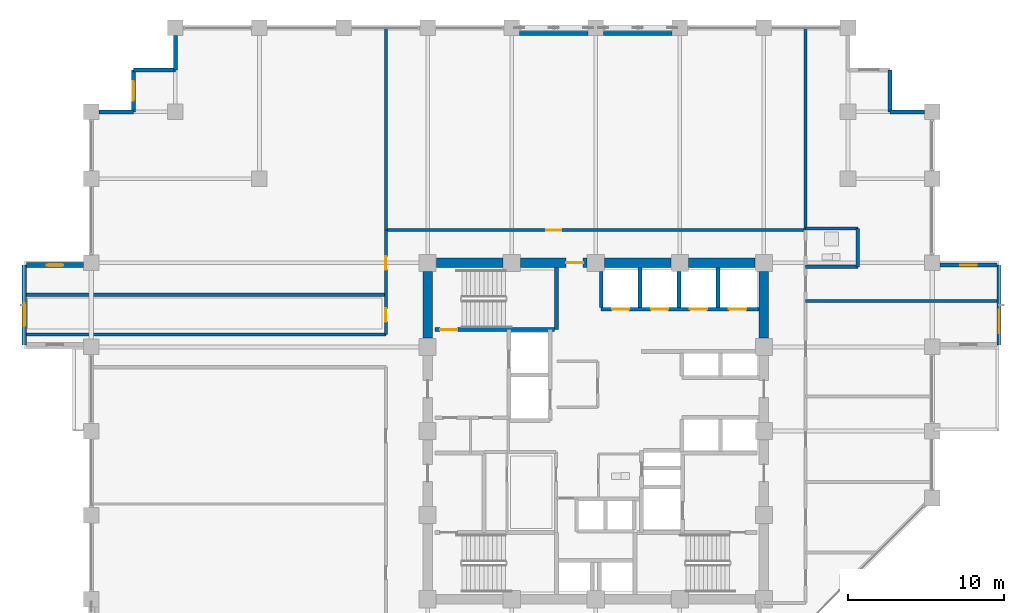
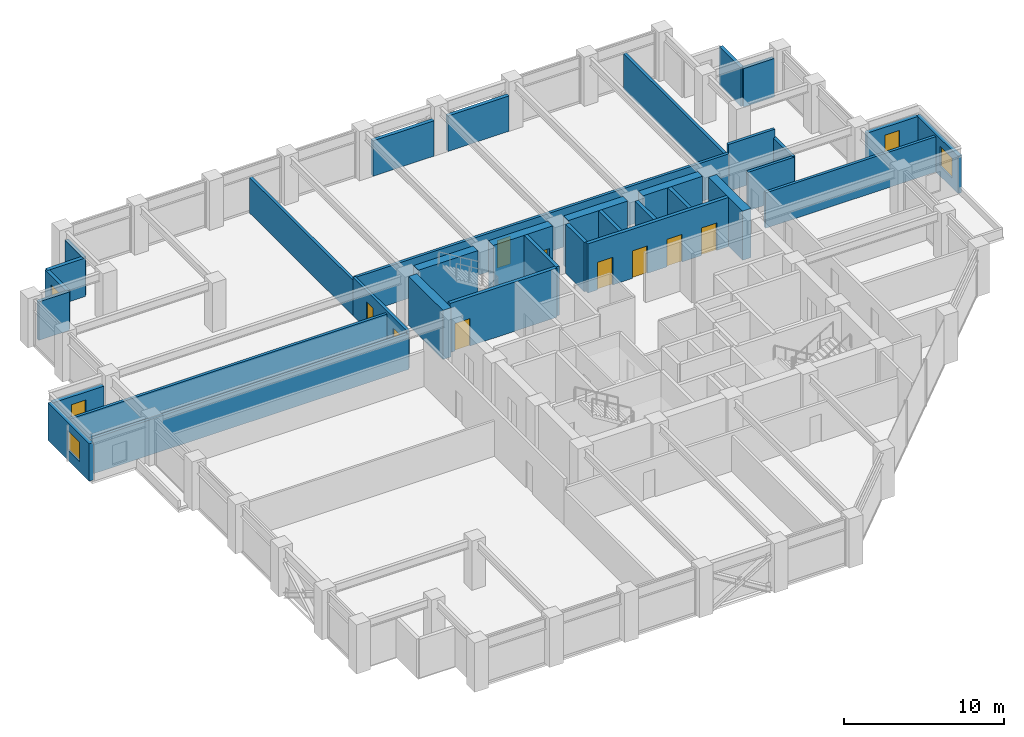
# One storey, part 24 of 29: 35 walls, 9 doors, 5 windows, 14 openings.
"""IFC4 building model written with IfcOpenShell, lengths in metres."""

from ifc_helpers import new_model, si_unit, direction, frame, frame_2d, origin, place, context, subcontext, project, spatial, rectangle, extrude, material, layer, layer_set, type_object, element, fill, save


model = new_model("IFC4")

# Units and contexts
model_context = context("Model", 3, precision=1e-05, world=origin(), true_north=direction((0.0, 1.0)))
body_context = subcontext(model_context, "Body", "Model", "MODEL_VIEW")
ifc_project = project(units=[si_unit("LENGTHUNIT", "METRE"), si_unit("AREAUNIT", "SQUARE_METRE"), si_unit("VOLUMEUNIT", "CUBIC_METRE"), si_unit("PLANEANGLEUNIT", "RADIAN"), si_unit("MASSUNIT", "GRAM", prefix="KILO")], contexts=[model_context])

# Site, building, storey
site_placement = place(None, origin())
site = spatial("IfcSite", under=ifc_project, at=site_placement, CompositionType="ELEMENT")
building_placement = place(site_placement, origin())
building = spatial("IfcBuilding", under=site, at=building_placement, Name="Surkhivell Harbour Commons", CompositionType="ELEMENT")
storey_placement = place(building_placement, frame((0.0, 0.0, 150.75)))
storey = spatial("IfcBuildingStorey", under=building, at=storey_placement, Name="L39", CompositionType="ELEMENT", Elevation=150.75)

# Wall
ifc_material_1 = material(Name="Concrete C60/75", Category="concrete")
ifc_layer_1 = layer(ifc_material_1, 0.60009765625)
ifc_layer_set_1 = layer_set([ifc_layer_1], Name="Concrete C60/75")
wall_type_1 = type_object("IfcWallType", Name="WAL-CORE-600", PredefinedType="SHEAR", material=ifc_layer_set_1)
wall_1_placement = place(storey_placement, frame((-10.239990234375, 10.800048828125, 0.0), z_axis=(0.0, 0.0, 1.0), x_axis=(1.0, 0.0, 0.0)))
element("IfcWall", 1, at=wall_1_placement, inside=storey, type_object=wall_type_1, Name="L39 Core Shear Wall North 1", PredefinedType="SHEAR", context=body_context, shape_type="SweptSolid", body=[
    extrude(rectangle(XDim=4.280029296875, YDim=0.60009765625, at=frame_2d((2.14013671875, 0.0))), origin(), (0.0, 0.0, 1.0), 3.75),
])

# Wall, opening, door
wall_2_placement = place(storey_placement, frame((-4.840087890625, 10.800048828125, 0.0), z_axis=(0.0, 0.0, 1.0), x_axis=(1.0, 0.0, 0.0)))
wall_2 = element("IfcWall", 2, at=wall_2_placement, inside=storey, type_object=wall_type_1, Name="L39 Core Shear Wall North 2", PredefinedType="SHEAR", context=body_context, shape_type="SweptSolid", body=[
    extrude(rectangle(XDim=4.280029296875, YDim=0.60009765625, at=frame_2d((2.14013671875, 0.0))), origin(), (0.0, 0.0, 1.0), 3.75),
])
opening_1_placement = place(wall_2_placement, frame((2.929931640625, 0.0, 0.0)))
opening_1 = element("IfcOpeningElement", 3, at=opening_1_placement, cuts=wall_2, Name="Opening ID-2", PredefinedType="OPENING", context=body_context, shape_type="SweptSolid", body=[
    extrude(rectangle(XDim=1.10009765625, YDim=2.10009765625, at=frame_2d((0.550048828125, 1.050048828125))), frame((0.0, 0.31005859375, 0.0), z_axis=(0.0, -1.0, 0.0), x_axis=(1.0, 0.0, 0.0)), (0.0, 0.0, 1.0), 0.6201171875),
])
ifc_material_2 = material(Name="Hardwood-veneered fire-rated door leaf", Category="wood")
door_type_1 = type_object("IfcDoorType", Name="DOR-FD60-1100", OperationType="NOTDEFINED", PredefinedType="DOOR", material=ifc_material_2)
door_1_placement = place(opening_1_placement, origin())
door_1 = element("IfcDoor", 4, at=door_1_placement, inside=storey, type_object=door_type_1, Name="L39 Central Core Lift Hall North Corridor Door", OperationType="SINGLE_SWING_LEFT", OverallHeight=2.10009765625, OverallWidth=1.10009765625, PredefinedType="DOOR", context=body_context, shape_type="SweptSolid", body=[
    extrude(rectangle(XDim=1.10009765625, YDim=2.10009765625, at=frame_2d((0.550048828125, 1.050048828125))), frame((0.0, 0.02490234375, 0.0), z_axis=(0.0, -1.0, 0.0), x_axis=(1.0, 0.0, 0.0)), (0.0, 0.0, 1.0), 0.050048828125),
])
fill(opening_1, door_1)

# Walls
for number, where, z_axis, x_axis, name in (
    (5, (0.56005859375, 10.800048828125, 0.0), (0.0, 0.0, 1.0), (1.0, 0.0, 0.0), "L39 Core Shear Wall North 3"),
    (6, (5.9599609375, 10.800048828125, 0.0), (0.0, 0.0, 1.0), (1.0, 0.0, 0.0), "L39 Core Shear Wall North 4"),
    (7, (-10.800048828125, 5.9599609375, 0.0), (0.0, 0.0, 1.0), (0.0, 1.0, 0.0), "L39 Core Shear Wall West 4"),
    (8, (10.800048828125, 5.9599609375, 0.0), (0.0, 0.0, 1.0), (0.0, 1.0, 0.0), "L39 Core Shear Wall East 4"),
):
    element("IfcWall", number, at=place(storey_placement, frame(where, z_axis=z_axis, x_axis=x_axis)), inside=storey, type_object=wall_type_1, Name=name, PredefinedType="SHEAR", context=body_context, shape_type="SweptSolid", body=[
        extrude(rectangle(XDim=4.280029296875, YDim=0.60009765625, at=frame_2d((2.14013671875, 0.0))), origin(), (0.0, 0.0, 1.0), 3.75),
    ])

# Wall, opening, window
ifc_material_3 = material(Name="Flemish-bond kiln brick and precast concrete C45/55", Category="masonry")
ifc_layer_2 = layer(ifc_material_3, 0.300048828125)
ifc_layer_set_2 = layer_set([ifc_layer_2], Name="Flemish-bond kiln brick and precast concrete C45/55")
wall_type_2 = type_object("IfcWallType", Name="WAL-EXT-BRK300", PredefinedType="STANDARD", material=ifc_layer_set_2)
wall_3_placement = place(storey_placement, frame((-36.699951171875, 10.679931640625, 0.0), z_axis=(0.0, 0.0, 1.0), x_axis=(0.0, -1.0, 0.0)))
wall_3 = element("IfcWall", 9, at=wall_3_placement, inside=storey, type_object=wall_type_2, Name="L39 Coloured Box Front Wall 02", PredefinedType="STANDARD", context=body_context, shape_type="SweptSolid", body=[
    extrude(rectangle(XDim=5.159912109375, YDim=0.300048828125, at=frame_2d((2.580078125, 0.0))), origin(), (0.0, 0.0, 1.0), 2.85693359375),
])
opening_2_placement = place(wall_3_placement, frame((2.455078125, 0.0, 0.75)))
opening_2 = element("IfcOpeningElement", 10, at=opening_2_placement, cuts=wall_3, Name="Opening WN-13", PredefinedType="OPENING", context=body_context, shape_type="SweptSolid", body=[
    extrude(rectangle(XDim=1.5, YDim=1.5, at=frame_2d((0.75, 0.75))), frame((0.0, 0.159912109375, 0.0), z_axis=(0.0, -1.0, 0.0), x_axis=(1.0, 0.0, 0.0)), (0.0, 0.0, 1.0), 0.320068359375),
])
ifc_material_4 = material(Name="Thermal-break aluminium frame and double low-E glazing", Category="aluminium")
window_type_1 = type_object("IfcWindowType", Name="WIN-BOX-1500x1500", PartitioningType="SINGLE_PANEL", PredefinedType="WINDOW", material=ifc_material_4)
window_1_placement = place(opening_2_placement, origin())
window_1 = element("IfcWindow", 11, at=window_1_placement, inside=storey, type_object=window_type_1, Name="L39 Coloured Box Square Window 02-1", OverallHeight=1.5, OverallWidth=1.5, PartitioningType="SINGLE_PANEL", PredefinedType="WINDOW", context=body_context, shape_type="SweptSolid", body=[
    extrude(rectangle(XDim=1.5, YDim=1.5, at=frame_2d((0.75, 0.75))), frame((0.0, 0.030029296875, 0.0), z_axis=(0.0, -1.0, 0.0), x_axis=(1.0, 0.0, 0.0)), (0.0, 0.0, 1.0), 0.06005859375),
])
fill(opening_2, window_1)

wall_4_placement = place(storey_placement, frame((-36.56005859375, 10.659912109375, 0.0), z_axis=(0.0, 0.0, 1.0), x_axis=(1.0, 0.0, 0.0)))
wall_4 = element("IfcWall", 12, at=wall_4_placement, inside=storey, type_object=wall_type_2, Name="L39 Coloured Box Return Wall 02N", PredefinedType="STANDARD", context=body_context, shape_type="SweptSolid", body=[
    extrude(rectangle(XDim=3.656005859375, YDim=0.300048828125, at=frame_2d((1.828125, 0.0))), origin(), (0.0, 0.0, 1.0), 2.85693359375),
])
opening_3_placement = place(wall_4_placement, frame((1.302978515625, 0.0, 0.75)))
opening_3 = element("IfcOpeningElement", 13, at=opening_3_placement, cuts=wall_4, Name="Opening WN-11", PredefinedType="OPENING", context=body_context, shape_type="SweptSolid", body=[
    extrude(rectangle(XDim=1.050048828125, YDim=1.5, at=frame_2d((0.52490234375, 0.75))), frame((0.0, 0.159912109375, 0.0), z_axis=(0.0, -1.0, 0.0), x_axis=(1.0, 0.0, 0.0)), (0.0, 0.0, 1.0), 0.320068359375),
])
window_type_2 = type_object("IfcWindowType", Name="WIN-SER-1050x1500", PartitioningType="SINGLE_PANEL", PredefinedType="WINDOW", material=ifc_material_4)
window_2_placement = place(opening_3_placement, origin())
window_2 = element("IfcWindow", 14, at=window_2_placement, inside=storey, type_object=window_type_2, Name="L39 Coloured Box Return Window 02N", OverallHeight=1.5, OverallWidth=1.050048828125, PartitioningType="SINGLE_PANEL", PredefinedType="WINDOW", context=body_context, shape_type="SweptSolid", body=[
    extrude(rectangle(XDim=1.050048828125, YDim=1.5, at=frame_2d((0.52490234375, 0.75))), frame((0.0, 0.030029296875, 0.0), z_axis=(0.0, -1.0, 0.0), x_axis=(1.0, 0.0, 0.0)), (0.0, 0.0, 1.0), 0.06005859375),
])
fill(opening_3, window_2)

# Walls
ifc_material_5 = material(Name="Pale-metal insulated precast concrete C45/55", Category="concrete")
ifc_layer_3 = layer(ifc_material_5, 0.260009765625)
ifc_layer_set_3 = layer_set([ifc_layer_3], Name="Pale-metal insulated precast concrete C45/55")
wall_type_3 = type_object("IfcWallType", Name="WAL-EXT-MTL260", PredefinedType="STANDARD", material=ifc_layer_set_3)
wall_5_placement = place(storey_placement, frame((21.10205078125, 20.5, 0.0), z_axis=(0.0, 0.0, 1.0), x_axis=(-1.0, 0.0, 0.0)))
element("IfcWall", 15, at=wall_5_placement, inside=storey, type_object=wall_type_3, Name="L39 Serrated Corner Facade Wall 03", PredefinedType="STANDARD", context=body_context, shape_type="SweptSolid", body=[
    extrude(rectangle(XDim=2.2021484375, YDim=0.260009765625, at=frame_2d((1.10107421875, 0.0))), origin(), (0.0, 0.0, 1.0), 2.93310546875),
])
wall_6_placement = place(storey_placement, frame((18.89990234375, 20.5, 0.0), z_axis=(0.0, 0.0, 1.0), x_axis=(0.0, 1.0, 0.0)))
element("IfcWall", 16, at=wall_6_placement, inside=storey, type_object=wall_type_3, Name="L39 Serrated Corner Facade Wall 04", PredefinedType="STANDARD", context=body_context, shape_type="SweptSolid", body=[
    extrude(rectangle(XDim=2.699951171875, YDim=0.260009765625, at=frame_2d((1.35009765625, 0.0))), origin(), (0.0, 0.0, 1.0), 2.93310546875),
])
for number, where, z_axis, x_axis, name in (
    (17, (-0.498046875, 25.5400390625, 0.0), (0.0, 0.0, 1.0), (-1.0, 0.0, 0.0), "L39 Braced-Bay Insulated Spandrel Backing N"),
    (18, (4.902099609375, 25.5400390625, 0.0), (0.0, 0.0, 1.0), (-1.0, 0.0, 0.0), "L39 Braced-Bay Insulated Spandrel Backing N2"),
):
    element("IfcWall", number, at=place(storey_placement, frame(where, z_axis=z_axis, x_axis=x_axis)), inside=storey, type_object=wall_type_3, Name=name, PredefinedType="STANDARD", context=body_context, shape_type="SweptSolid", body=[
        extrude(rectangle(XDim=4.404052734375, YDim=0.260009765625, at=frame_2d((2.2021484375, 0.0))), origin(), (0.0, 0.0, 1.0), 2.698974609375),
    ])
wall_7_placement = place(storey_placement, frame((-27.0, 25.402099609375, 0.0), z_axis=(0.0, 0.0, 1.0), x_axis=(0.0, -1.0, 0.0)))
element("IfcWall", 19, at=wall_7_placement, inside=storey, type_object=wall_type_3, Name="L39 Serrated Corner Facade Wall 08", PredefinedType="STANDARD", context=body_context, shape_type="SweptSolid", body=[
    extrude(rectangle(XDim=2.2021484375, YDim=0.260009765625, at=frame_2d((1.10107421875, 0.0))), origin(), (0.0, 0.0, 1.0), 2.93310546875),
])
wall_8_placement = place(storey_placement, frame((-27.0, 23.199951171875, 0.0), z_axis=(0.0, 0.0, 1.0), x_axis=(-1.0, 0.0, 0.0)))
element("IfcWall", 20, at=wall_8_placement, inside=storey, type_object=wall_type_3, Name="L39 Serrated Corner Facade Wall 09", PredefinedType="STANDARD", context=body_context, shape_type="SweptSolid", body=[
    extrude(rectangle(XDim=2.699951171875, YDim=0.260009765625, at=frame_2d((1.35009765625, 0.0))), origin(), (0.0, 0.0, 1.0), 2.93310546875),
])

# Wall, opening, window
wall_9_placement = place(storey_placement, frame((-29.699951171875, 23.199951171875, 0.0), z_axis=(0.0, 0.0, 1.0), x_axis=(0.0, -1.0, 0.0)))
wall_9 = element("IfcWall", 21, at=wall_9_placement, inside=storey, type_object=wall_type_3, Name="L39 Serrated Corner Facade Wall 10", PredefinedType="STANDARD", context=body_context, shape_type="SweptSolid", body=[
    extrude(rectangle(XDim=2.699951171875, YDim=0.260009765625, at=frame_2d((1.35009765625, 0.0))), origin(), (0.0, 0.0, 1.0), 2.93310546875),
])
opening_4_placement = place(wall_9_placement, frame((0.72509765625, 0.0, 0.64990234375)))
opening_4 = element("IfcOpeningElement", 22, at=opening_4_placement, cuts=wall_9, Name="Opening WN-09", PredefinedType="OPENING", context=body_context, shape_type="SweptSolid", body=[
    extrude(rectangle(XDim=1.25, YDim=1.60009765625, at=frame_2d((0.625, 0.800048828125))), frame((0.0, 0.139892578125, 0.0), z_axis=(0.0, -1.0, 0.0), x_axis=(1.0, 0.0, 0.0)), (0.0, 0.0, 1.0), 0.280029296875),
])
window_type_3 = type_object("IfcWindowType", Name="WIN-SER-1250x1600", PartitioningType="SINGLE_PANEL", PredefinedType="WINDOW", material=ifc_material_4)
window_3_placement = place(opening_4_placement, origin())
window_3 = element("IfcWindow", 23, at=window_3_placement, inside=storey, type_object=window_type_3, Name="L39 Serrated Alcove Window 10", OverallHeight=1.60009765625, OverallWidth=1.25, PartitioningType="SINGLE_PANEL", PredefinedType="WINDOW", context=body_context, shape_type="SweptSolid", body=[
    extrude(rectangle(XDim=1.25, YDim=1.60009765625, at=frame_2d((0.625, 0.800048828125))), frame((0.0, 0.030029296875, 0.0), z_axis=(0.0, -1.0, 0.0), x_axis=(1.0, 0.0, 0.0)), (0.0, 0.0, 1.0), 0.06005859375),
])
fill(opening_4, window_3)

# Wall
wall_10_placement = place(storey_placement, frame((-29.699951171875, 20.5, 0.0), z_axis=(0.0, 0.0, 1.0), x_axis=(-1.0, 0.0, 0.0)))
element("IfcWall", 24, at=wall_10_placement, inside=storey, type_object=wall_type_3, Name="L39 Serrated Corner Facade Wall 11", PredefinedType="STANDARD", context=body_context, shape_type="SweptSolid", body=[
    extrude(rectangle(XDim=2.2021484375, YDim=0.260009765625, at=frame_2d((1.10107421875, 0.0))), origin(), (0.0, 0.0, 1.0), 2.93310546875),
])

# Wall, opening, window
ifc_material_6 = material(Name="Terracotta-clad reinforced concrete C45/55", Category="masonry")
ifc_layer_4 = layer(ifc_material_6, 0.280029296875)
ifc_layer_set_4 = layer_set([ifc_layer_4], Name="Terracotta-clad reinforced concrete C45/55")
wall_type_4 = type_object("IfcWallType", Name="WAL-EXT-TER280", PredefinedType="STANDARD", material=ifc_layer_set_4)
wall_11_placement = place(storey_placement, frame((25.89990234375, 5.52001953125, 0.0), z_axis=(0.0, 0.0, 1.0), x_axis=(0.0, 1.0, 0.0)))
wall_11 = element("IfcWall", 25, at=wall_11_placement, inside=storey, type_object=wall_type_4, Name="L39 Coloured Box Front Wall 01", PredefinedType="STANDARD", context=body_context, shape_type="SweptSolid", body=[
    extrude(rectangle(XDim=5.159912109375, YDim=0.280029296875, at=frame_2d((2.580078125, 0.0))), origin(), (0.0, 0.0, 1.0), 2.85693359375),
])
opening_5_placement = place(wall_11_placement, frame((0.7548828125, 0.0, 0.75)))
opening_5 = element("IfcOpeningElement", 26, at=opening_5_placement, cuts=wall_11, Name="Opening WN-13", PredefinedType="OPENING", context=body_context, shape_type="SweptSolid", body=[
    extrude(rectangle(XDim=1.5, YDim=1.5, at=frame_2d((0.75, 0.75))), frame((0.0, 0.14990234375, 0.0), z_axis=(0.0, -1.0, 0.0), x_axis=(1.0, 0.0, 0.0)), (0.0, 0.0, 1.0), 0.300048828125),
])
window_4_placement = place(opening_5_placement, origin())
window_4 = element("IfcWindow", 27, at=window_4_placement, inside=storey, type_object=window_type_1, Name="L39 Coloured Box Square Window 01-1", OverallHeight=1.5, OverallWidth=1.5, PartitioningType="SINGLE_PANEL", PredefinedType="WINDOW", context=body_context, shape_type="SweptSolid", body=[
    extrude(rectangle(XDim=1.5, YDim=1.5, at=frame_2d((0.75, 0.75))), frame((0.0, 0.030029296875, 0.0), z_axis=(0.0, -1.0, 0.0), x_axis=(1.0, 0.0, 0.0)), (0.0, 0.0, 1.0), 0.06005859375),
])
fill(opening_5, window_4)

wall_12_placement = place(storey_placement, frame((22.10400390625, 10.659912109375, 0.0), z_axis=(0.0, 0.0, 1.0), x_axis=(1.0, 0.0, 0.0)))
wall_12 = element("IfcWall", 28, at=wall_12_placement, inside=storey, type_object=wall_type_4, Name="L39 Coloured Box Return Wall 01N", PredefinedType="STANDARD", context=body_context, shape_type="SweptSolid", body=[
    extrude(rectangle(XDim=3.656005859375, YDim=0.280029296875, at=frame_2d((1.828125, 0.0))), origin(), (0.0, 0.0, 1.0), 2.85693359375),
])
opening_6_placement = place(wall_12_placement, frame((1.302978515625, 0.0, 0.75)))
opening_6 = element("IfcOpeningElement", 29, at=opening_6_placement, cuts=wall_12, Name="Opening WN-11", PredefinedType="OPENING", context=body_context, shape_type="SweptSolid", body=[
    extrude(rectangle(XDim=1.050048828125, YDim=1.5, at=frame_2d((0.52490234375, 0.75))), frame((0.0, 0.14990234375, 0.0), z_axis=(0.0, -1.0, 0.0), x_axis=(1.0, 0.0, 0.0)), (0.0, 0.0, 1.0), 0.300048828125),
])
window_5_placement = place(opening_6_placement, origin())
window_5 = element("IfcWindow", 30, at=window_5_placement, inside=storey, type_object=window_type_2, Name="L39 Coloured Box Return Window 01N", OverallHeight=1.5, OverallWidth=1.050048828125, PartitioningType="SINGLE_PANEL", PredefinedType="WINDOW", context=body_context, shape_type="SweptSolid", body=[
    extrude(rectangle(XDim=1.050048828125, YDim=1.5, at=frame_2d((0.52490234375, 0.75))), frame((0.0, 0.030029296875, 0.0), z_axis=(0.0, -1.0, 0.0), x_axis=(1.0, 0.0, 0.0)), (0.0, 0.0, 1.0), 0.06005859375),
])
fill(opening_6, window_5)

# Walls
ifc_material_7 = material(Name="Autoclaved aerated concrete blockwork and fire plaster", Category="masonry")
ifc_layer_5 = layer(ifc_material_7, 0.199951171875)
ifc_layer_set_5 = layer_set([ifc_layer_5], Name="Autoclaved aerated concrete blockwork and fire plaster")
wall_type_5 = type_object("IfcWallType", Name="WAL-INT-200", PredefinedType="PARTITIONING", material=ifc_layer_set_5)
for number, where, z_axis, x_axis, name in (
    (31, (13.47998046875, 12.89990234375, 0.0), (0.0, 0.0, 1.0), (0.0, 1.0, 0.0), "L39 North-East Wing Corner Divider"),
    (32, (-13.47998046875, 12.89990234375, 0.0), (0.0, 0.0, 1.0), (0.0, 1.0, 0.0), "L39 North-West Wing Corner Divider"),
):
    element("IfcWall", number, at=place(storey_placement, frame(where, z_axis=z_axis, x_axis=x_axis)), inside=storey, type_object=wall_type_5, Name=name, PredefinedType="PARTITIONING", context=body_context, shape_type="SweptSolid", body=[
        extrude(rectangle(XDim=12.940185546875, YDim=0.199951171875, at=frame_2d((6.47021484375, 0.0))), origin(), (0.0, 0.0, 1.0), 2.698974609375),
    ])

# Wall, opening, door
wall_13_placement = place(storey_placement, frame((-13.47998046875, 12.89990234375, 0.0), z_axis=(0.0, 0.0, 1.0), x_axis=(1.0, 0.0, 0.0)))
wall_13 = element("IfcWall", 33, at=wall_13_placement, inside=storey, type_object=wall_type_5, Name="L39 Corridor North Wall", PredefinedType="PARTITIONING", context=body_context, shape_type="SweptSolid", body=[
    extrude(rectangle(XDim=26.9599609375, YDim=0.199951171875, at=frame_2d((13.47998046875, 0.0))), origin(), (0.0, 0.0, 1.0), 2.93310546875),
])
opening_7_placement = place(wall_13_placement, frame((10.2998046875, 0.0, 0.0)))
opening_7 = element("IfcOpeningElement", 34, at=opening_7_placement, cuts=wall_13, Name="Opening ID-4", PredefinedType="OPENING", context=body_context, shape_type="SweptSolid", body=[
    extrude(rectangle(XDim=0.949951171875, YDim=2.10009765625, at=frame_2d((0.47509765625, 1.050048828125))), frame((0.0, 0.10986328125, 0.0), z_axis=(0.0, -1.0, 0.0), x_axis=(1.0, 0.0, 0.0)), (0.0, 0.0, 1.0), 0.219970703125),
])
door_type_2 = type_object("IfcDoorType", Name="DOR-FD60-950", OperationType="NOTDEFINED", PredefinedType="DOOR", material=ifc_material_2)
door_2_placement = place(opening_7_placement, origin())
door_2 = element("IfcDoor", 35, at=door_2_placement, inside=storey, type_object=door_type_2, Name="L39 Harbour Social Lounge North Door", OperationType="SINGLE_SWING_LEFT", OverallHeight=2.10009765625, OverallWidth=0.949951171875, PredefinedType="DOOR", context=body_context, shape_type="SweptSolid", body=[
    extrude(rectangle(XDim=0.949951171875, YDim=2.10009765625, at=frame_2d((0.47509765625, 1.050048828125))), frame((0.0, 0.02490234375, 0.0), z_axis=(0.0, -1.0, 0.0), x_axis=(1.0, 0.0, 0.0)), (0.0, 0.0, 1.0), 0.050048828125),
])
fill(opening_7, door_2)

# Wall
wall_14_placement = place(storey_placement, frame((-36.639892578125, 6.199951171875, 0.0), z_axis=(0.0, 0.0, 1.0), x_axis=(1.0, 0.0, 0.0)))
element("IfcWall", 36, at=wall_14_placement, inside=storey, type_object=wall_type_5, Name="L39 West Alcove North Wall", PredefinedType="PARTITIONING", context=body_context, shape_type="SweptSolid", body=[
    extrude(rectangle(XDim=23.159912109375, YDim=0.199951171875, at=frame_2d((11.580078125, 0.0))), origin(), (0.0, 0.0, 1.0), 2.698974609375),
])

# Wall, openings, doors
wall_15_placement = place(storey_placement, frame((-13.47998046875, 6.199951171875, 0.0), z_axis=(0.0, 0.0, 1.0), x_axis=(0.0, 1.0, 0.0)))
wall_15 = element("IfcWall", 37, at=wall_15_placement, inside=storey, type_object=wall_type_5, Name="L39 Corridor West-Upper Wall", PredefinedType="PARTITIONING", context=body_context, shape_type="SweptSolid", body=[
    extrude(rectangle(XDim=6.699951171875, YDim=0.199951171875, at=frame_2d((3.35009765625, 0.0))), origin(), (0.0, 0.0, 1.0), 2.93310546875),
])
opening_8_placement = place(wall_15_placement, frame((0.824951171875, 0.0, 0.0)))
opening_8 = element("IfcOpeningElement", 38, at=opening_8_placement, cuts=wall_15, Name="Opening ID-6", PredefinedType="OPENING", context=body_context, shape_type="SweptSolid", body=[
    extrude(rectangle(XDim=0.85009765625, YDim=2.10009765625, at=frame_2d((0.425048828125, 1.050048828125))), frame((0.0, 0.10986328125, 0.0), z_axis=(0.0, -1.0, 0.0), x_axis=(1.0, 0.0, 0.0)), (0.0, 0.0, 1.0), 0.219970703125),
])
opening_9_placement = place(wall_15_placement, frame((4.175048828125, 0.0, 0.0)))
opening_9 = element("IfcOpeningElement", 39, at=opening_9_placement, cuts=wall_15, Name="Opening ID-6", PredefinedType="OPENING", context=body_context, shape_type="SweptSolid", body=[
    extrude(rectangle(XDim=0.85009765625, YDim=2.10009765625, at=frame_2d((0.425048828125, 1.050048828125))), frame((0.0, 0.10986328125, 0.0), z_axis=(0.0, -1.0, 0.0), x_axis=(1.0, 0.0, 0.0)), (0.0, 0.0, 1.0), 0.219970703125),
])
door_type_3 = type_object("IfcDoorType", Name="DOR-FD30-850", OperationType="NOTDEFINED", PredefinedType="DOOR", material=ifc_material_2)
door_3_placement = place(opening_8_placement, origin())
door_3 = element("IfcDoor", 40, at=door_3_placement, inside=storey, type_object=door_type_3, Name="L39 Harbour Reading Library North-West Door", OperationType="SINGLE_SWING_LEFT", OverallHeight=2.10009765625, OverallWidth=0.85009765625, PredefinedType="DOOR", context=body_context, shape_type="SweptSolid", body=[
    extrude(rectangle(XDim=0.85009765625, YDim=2.10009765625, at=frame_2d((0.425048828125, 1.050048828125))), frame((0.0, 0.02490234375, 0.0), z_axis=(0.0, -1.0, 0.0), x_axis=(1.0, 0.0, 0.0)), (0.0, 0.0, 1.0), 0.050048828125),
])
fill(opening_8, door_3)
door_4_placement = place(opening_9_placement, origin())
door_4 = element("IfcDoor", 41, at=door_4_placement, inside=storey, type_object=door_type_3, Name="L39 Communal Dining Hall North-West Door", OperationType="SINGLE_SWING_RIGHT", OverallHeight=2.10009765625, OverallWidth=0.85009765625, PredefinedType="DOOR", context=body_context, shape_type="SweptSolid", body=[
    extrude(rectangle(XDim=0.85009765625, YDim=2.10009765625, at=frame_2d((0.425048828125, 1.050048828125))), frame((0.0, 0.02490234375, 0.0), z_axis=(0.0, -1.0, 0.0), x_axis=(1.0, 0.0, 0.0)), (0.0, 0.0, 1.0), 0.050048828125),
])
fill(opening_9, door_4)

# Walls
wall_16_placement = place(storey_placement, frame((16.830078125, 10.550048828125, 0.0), z_axis=(0.0, 0.0, 1.0), x_axis=(0.0, 1.0, 0.0)))
element("IfcWall", 42, at=wall_16_placement, inside=storey, type_object=wall_type_5, Name="L39 East Partition BTHB", PredefinedType="PARTITIONING", context=body_context, shape_type="SweptSolid", body=[
    extrude(rectangle(XDim=2.449951171875, YDim=0.199951171875, at=frame_2d((1.22509765625, 0.0))), origin(), (0.0, 0.0, 1.0), 2.93310546875),
])
wall_17_placement = place(storey_placement, frame((13.47998046875, 13.0, 0.0), z_axis=(0.0, 0.0, 1.0), x_axis=(1.0, 0.0, 0.0)))
element("IfcWall", 43, at=wall_17_placement, inside=storey, type_object=wall_type_5, Name="L39 East Partition BTHN", PredefinedType="PARTITIONING", context=body_context, shape_type="SweptSolid", body=[
    extrude(rectangle(XDim=3.35009765625, YDim=0.199951171875, at=frame_2d((1.675048828125, 0.0))), origin(), (0.0, 0.0, 1.0), 3.570068359375),
])
wall_18_placement = place(storey_placement, frame((13.47998046875, 10.550048828125, 0.0), z_axis=(0.0, 0.0, 1.0), x_axis=(1.0, 0.0, 0.0)))
element("IfcWall", 44, at=wall_18_placement, inside=storey, type_object=wall_type_5, Name="L39 East Partition BTHS", PredefinedType="PARTITIONING", context=body_context, shape_type="SweptSolid", body=[
    extrude(rectangle(XDim=3.35009765625, YDim=0.199951171875, at=frame_2d((1.675048828125, 0.0))), origin(), (0.0, 0.0, 1.0), 2.93310546875),
])
wall_19_placement = place(storey_placement, frame((13.47998046875, 8.35009765625, 0.0), z_axis=(0.0, 0.0, 1.0), x_axis=(1.0, 0.0, 0.0)))
element("IfcWall", 45, at=wall_19_placement, inside=storey, type_object=wall_type_5, Name="L39 East Partition PTOP", PredefinedType="PARTITIONING", context=body_context, shape_type="SweptSolid", body=[
    extrude(rectangle(XDim=12.360107421875, YDim=0.199951171875, at=frame_2d((6.18017578125, 0.0))), origin(), (0.0, 0.0, 1.0), 2.698974609375),
])
wall_20_placement = place(storey_placement, frame((-36.639892578125, 8.75, 0.0), z_axis=(0.0, 0.0, 1.0), x_axis=(1.0, 0.0, 0.0)))
element("IfcWall", 46, at=wall_20_placement, inside=storey, type_object=wall_type_5, Name="L39 North-West Partition P1", PredefinedType="PARTITIONING", context=body_context, shape_type="SweptSolid", body=[
    extrude(rectangle(XDim=23.159912109375, YDim=0.199951171875, at=frame_2d((11.580078125, 0.0))), origin(), (0.0, 0.0, 1.0), 2.698974609375),
])
ifc_material_8 = material(Name="Concrete C50/60", Category="concrete")
ifc_layer_6 = layer(ifc_material_8, 0.25)
ifc_layer_set_6 = layer_set([ifc_layer_6], Name="Concrete C50/60")
wall_type_6 = type_object("IfcWallType", Name="WAL-SHAFT-250", PredefinedType="SHEAR", material=ifc_layer_set_6)
wall_21_placement = place(storey_placement, frame((2.85009765625, 7.93994140625, 0.0), z_axis=(0.0, 0.0, 1.0), x_axis=(0.0, 1.0, 0.0)))
element("IfcWall", 47, at=wall_21_placement, inside=storey, type_object=wall_type_6, Name="L39 Low-Rise Hoistway Wall", PredefinedType="SHEAR", context=body_context, shape_type="SweptSolid", body=[
    extrude(rectangle(XDim=2.56005859375, YDim=0.25, at=frame_2d((1.280029296875, 0.0))), origin(), (0.0, 0.0, 1.0), 3.75),
])
for number, where, z_axis, x_axis, name in (
    (48, (0.35009765625, 7.93994140625, 0.0), (0.0, 0.0, 1.0), (0.0, 1.0, 0.0), "L39 Low-Rise Hoistway Wall"),
    (49, (5.35009765625, 7.93994140625, 0.0), (0.0, 0.0, 1.0), (0.0, 1.0, 0.0), "L39 Low-Rise Hoistway Wall"),
):
    element("IfcWall", number, at=place(storey_placement, frame(where, z_axis=z_axis, x_axis=x_axis)), inside=storey, type_object=wall_type_6, Name=name, PredefinedType="SHEAR", context=body_context, shape_type="SweptSolid", body=[
        extrude(rectangle(XDim=2.31005859375, YDim=0.25, at=frame_2d((1.155029296875, 0.0))), origin(), (0.0, 0.0, 1.0), 3.75),
    ])
wall_22_placement = place(storey_placement, frame((7.85009765625, 7.93994140625, 0.0), z_axis=(0.0, 0.0, 1.0), x_axis=(0.0, 1.0, 0.0)))
element("IfcWall", 50, at=wall_22_placement, inside=storey, type_object=wall_type_6, Name="L39 Low-Rise Hoistway Wall", PredefinedType="SHEAR", context=body_context, shape_type="SweptSolid", body=[
    extrude(rectangle(XDim=2.56005859375, YDim=0.25, at=frame_2d((1.280029296875, 0.0))), origin(), (0.0, 0.0, 1.0), 3.75),
])

# Wall, openings, doors
wall_23_placement = place(storey_placement, frame((0.35009765625, 7.820068359375, 0.0), z_axis=(0.0, 0.0, 1.0), x_axis=(1.0, 0.0, 0.0)))
wall_23 = element("IfcWall", 51, at=wall_23_placement, inside=storey, type_object=wall_type_6, Name="L39 Low-Rise Lift Front Shaft Wall", PredefinedType="SHEAR", context=body_context, shape_type="SweptSolid", body=[
    extrude(rectangle(XDim=10.14990234375, YDim=0.25, at=frame_2d((5.074951171875, 0.0))), origin(), (0.0, 0.0, 1.0), 3.75),
])
opening_10_placement = place(wall_23_placement, frame((0.699951171875, 0.0, 0.0)))
opening_10 = element("IfcOpeningElement", 52, at=opening_10_placement, cuts=wall_23, Name="Opening LD-1", PredefinedType="OPENING", context=body_context, shape_type="SweptSolid", body=[
    extrude(rectangle(XDim=1.10009765625, YDim=2.10009765625, at=frame_2d((0.550048828125, 1.050048828125))), frame((0.0, 0.135009765625, 0.0), z_axis=(0.0, -1.0, 0.0), x_axis=(1.0, 0.0, 0.0)), (0.0, 0.0, 1.0), 0.27001953125),
])
opening_11_placement = place(wall_23_placement, frame((3.199951171875, 0.0, 0.0)))
opening_11 = element("IfcOpeningElement", 53, at=opening_11_placement, cuts=wall_23, Name="Opening LD-1", PredefinedType="OPENING", context=body_context, shape_type="SweptSolid", body=[
    extrude(rectangle(XDim=1.10009765625, YDim=2.10009765625, at=frame_2d((0.550048828125, 1.050048828125))), frame((0.0, 0.135009765625, 0.0), z_axis=(0.0, -1.0, 0.0), x_axis=(1.0, 0.0, 0.0)), (0.0, 0.0, 1.0), 0.27001953125),
])
opening_12_placement = place(wall_23_placement, frame((5.699951171875, 0.0, 0.0)))
opening_12 = element("IfcOpeningElement", 54, at=opening_12_placement, cuts=wall_23, Name="Opening LD-1", PredefinedType="OPENING", context=body_context, shape_type="SweptSolid", body=[
    extrude(rectangle(XDim=1.10009765625, YDim=2.10009765625, at=frame_2d((0.550048828125, 1.050048828125))), frame((0.0, 0.135009765625, 0.0), z_axis=(0.0, -1.0, 0.0), x_axis=(1.0, 0.0, 0.0)), (0.0, 0.0, 1.0), 0.27001953125),
])
opening_13_placement = place(wall_23_placement, frame((8.199951171875, 0.0, 0.0)))
opening_13 = element("IfcOpeningElement", 55, at=opening_13_placement, cuts=wall_23, Name="Opening LD-1", PredefinedType="OPENING", context=body_context, shape_type="SweptSolid", body=[
    extrude(rectangle(XDim=1.10009765625, YDim=2.10009765625, at=frame_2d((0.550048828125, 1.050048828125))), frame((0.0, 0.135009765625, 0.0), z_axis=(0.0, -1.0, 0.0), x_axis=(1.0, 0.0, 0.0)), (0.0, 0.0, 1.0), 0.27001953125),
])
ifc_material_9 = material(Name="Brushed stainless steel S355", Category="steel")
door_type_4 = type_object("IfcDoorType", Name="DOR-LD-1100", OperationType="SLIDING_TO_LEFT", PredefinedType="DOOR", material=ifc_material_9)
door_5_placement = place(opening_10_placement, origin())
door_5 = element("IfcDoor", 56, at=door_5_placement, inside=storey, type_object=door_type_4, Name="L39 Lift Landing Door LD-PL1", OperationType="SLIDING_TO_LEFT", OverallHeight=2.10009765625, OverallWidth=1.10009765625, PredefinedType="DOOR", context=body_context, shape_type="SweptSolid", body=[
    extrude(rectangle(XDim=1.10009765625, YDim=2.10009765625, at=frame_2d((0.550048828125, 1.050048828125))), frame((0.0, 0.02490234375, 0.0), z_axis=(0.0, -1.0, 0.0), x_axis=(1.0, 0.0, 0.0)), (0.0, 0.0, 1.0), 0.050048828125),
])
fill(opening_10, door_5)
door_6_placement = place(opening_11_placement, origin())
door_6 = element("IfcDoor", 57, at=door_6_placement, inside=storey, type_object=door_type_4, Name="L39 Lift Landing Door LD-PL2", OperationType="SLIDING_TO_LEFT", OverallHeight=2.10009765625, OverallWidth=1.10009765625, PredefinedType="DOOR", context=body_context, shape_type="SweptSolid", body=[
    extrude(rectangle(XDim=1.10009765625, YDim=2.10009765625, at=frame_2d((0.550048828125, 1.050048828125))), frame((0.0, 0.02490234375, 0.0), z_axis=(0.0, -1.0, 0.0), x_axis=(1.0, 0.0, 0.0)), (0.0, 0.0, 1.0), 0.050048828125),
])
fill(opening_11, door_6)
door_7_placement = place(opening_12_placement, origin())
door_7 = element("IfcDoor", 58, at=door_7_placement, inside=storey, type_object=door_type_4, Name="L39 Lift Landing Door LD-PL3", OperationType="SLIDING_TO_LEFT", OverallHeight=2.10009765625, OverallWidth=1.10009765625, PredefinedType="DOOR", context=body_context, shape_type="SweptSolid", body=[
    extrude(rectangle(XDim=1.10009765625, YDim=2.10009765625, at=frame_2d((0.550048828125, 1.050048828125))), frame((0.0, 0.02490234375, 0.0), z_axis=(0.0, -1.0, 0.0), x_axis=(1.0, 0.0, 0.0)), (0.0, 0.0, 1.0), 0.050048828125),
])
fill(opening_12, door_7)
door_8_placement = place(opening_13_placement, origin())
door_8 = element("IfcDoor", 59, at=door_8_placement, inside=storey, type_object=door_type_4, Name="L39 Lift Landing Door LD-PL4", OperationType="SLIDING_TO_LEFT", OverallHeight=2.10009765625, OverallWidth=1.10009765625, PredefinedType="DOOR", context=body_context, shape_type="SweptSolid", body=[
    extrude(rectangle(XDim=1.10009765625, YDim=2.10009765625, at=frame_2d((0.550048828125, 1.050048828125))), frame((0.0, 0.02490234375, 0.0), z_axis=(0.0, -1.0, 0.0), x_axis=(1.0, 0.0, 0.0)), (0.0, 0.0, 1.0), 0.050048828125),
])
fill(opening_13, door_8)

# Wall
wall_24_placement = place(storey_placement, frame((-2.510009765625, 6.510009765625, 0.0), z_axis=(0.0, 0.0, 1.0), x_axis=(0.0, 1.0, 0.0)))
element("IfcWall", 60, at=wall_24_placement, inside=storey, type_object=wall_type_6, Name="L39 Stair ST1 East Shear Wall", PredefinedType="SHEAR", context=body_context, shape_type="SweptSolid", body=[
    extrude(rectangle(XDim=3.989990234375, YDim=0.25, at=frame_2d((1.9951171875, 0.0))), origin(), (0.0, 0.0, 1.0), 3.75),
])

# Wall, opening, door
wall_25_placement = place(storey_placement, frame((-10.340087890625, 6.510009765625, 0.0), z_axis=(0.0, 0.0, 1.0), x_axis=(1.0, 0.0, 0.0)))
wall_25 = element("IfcWall", 61, at=wall_25_placement, inside=storey, type_object=wall_type_6, Name="L39 Stair ST1 South Shear Wall", PredefinedType="SHEAR", context=body_context, shape_type="SweptSolid", body=[
    extrude(rectangle(XDim=7.7001953125, YDim=0.25, at=frame_2d((3.85009765625, 0.0))), origin(), (0.0, 0.0, 1.0), 3.75),
])
opening_14_placement = place(wall_25_placement, frame((0.35009765625, 0.0, 0.0)))
opening_14 = element("IfcOpeningElement", 62, at=opening_14_placement, cuts=wall_25, Name="Opening ID-2", PredefinedType="OPENING", context=body_context, shape_type="SweptSolid", body=[
    extrude(rectangle(XDim=1.10009765625, YDim=2.10009765625, at=frame_2d((0.550048828125, 1.050048828125))), frame((0.0, 0.135009765625, 0.0), z_axis=(0.0, -1.0, 0.0), x_axis=(1.0, 0.0, 0.0)), (0.0, 0.0, 1.0), 0.27001953125),
])
door_9_placement = place(opening_14_placement, origin())
door_9 = element("IfcDoor", 63, at=door_9_placement, inside=storey, type_object=door_type_1, Name="L39 Stair ST1 Exit Door", OperationType="SINGLE_SWING_LEFT", OverallHeight=2.10009765625, OverallWidth=1.10009765625, PredefinedType="DOOR", context=body_context, shape_type="SweptSolid", body=[
    extrude(rectangle(XDim=1.10009765625, YDim=2.10009765625, at=frame_2d((0.550048828125, 1.050048828125))), frame((0.0, 0.02490234375, 0.0), z_axis=(0.0, -1.0, 0.0), x_axis=(1.0, 0.0, 0.0)), (0.0, 0.0, 1.0), 0.050048828125),
])
fill(opening_14, door_9)

save(model, "model.ifc")
